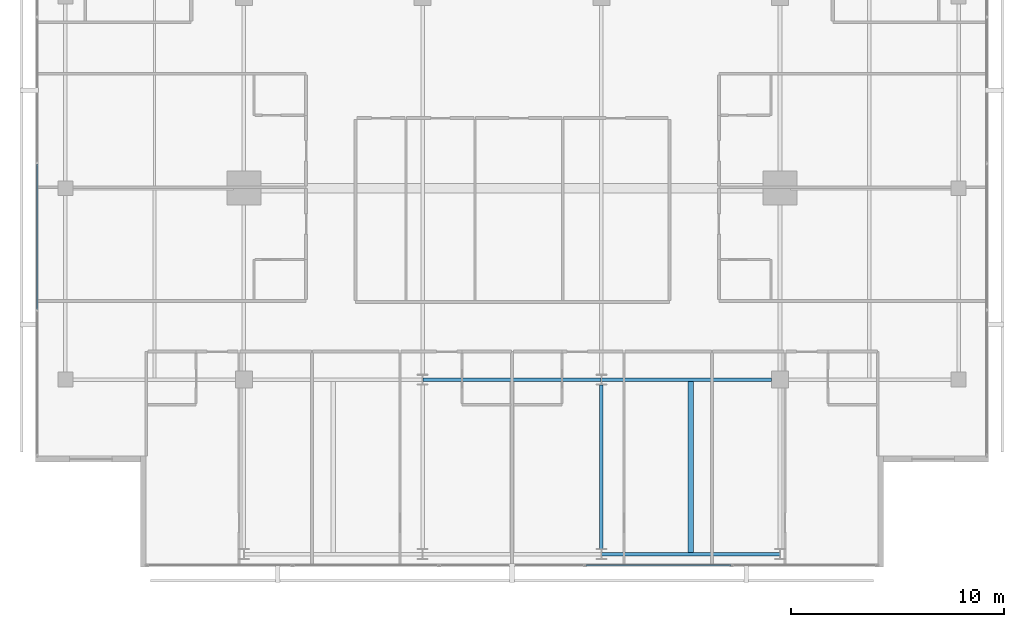
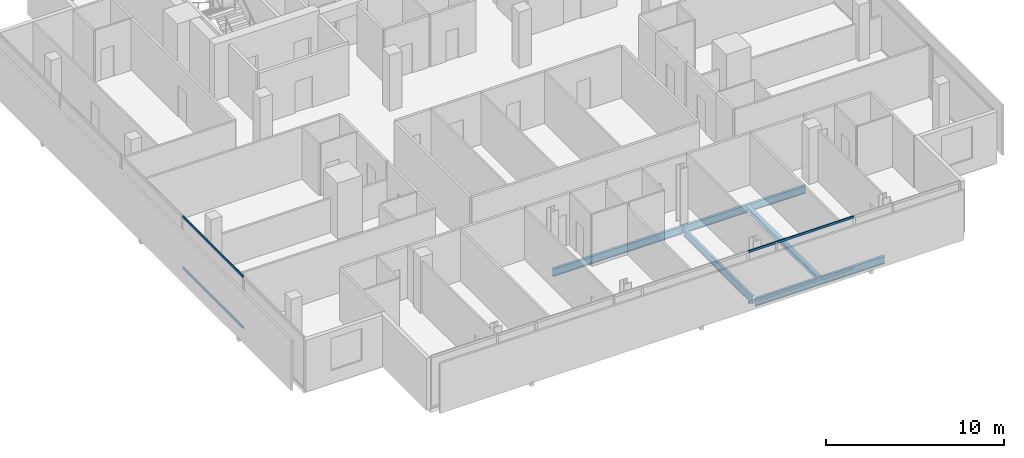
# One storey, part 7 of 26: 5 beams, 4 members, 2 elements without a shape of their own.
"""IFC4 building model written with IfcOpenShell, lengths in metres."""

from ifc_helpers import new_model, si_unit, direction, frame, origin, origin_2d, place, context, subcontext, project, spatial, hollow_rectangle, i_section, extrude, material, layer, layer_set, material_profile, profile_set, type_object, element, aggregate, save


model = new_model("IFC4")

# Units and contexts
model_context = context("Model", 3, precision=1e-05, world=origin(), true_north=direction((0.0, 1.0)))
body_context = subcontext(model_context, "Body", "Model", "MODEL_VIEW")
ifc_project = project(units=[si_unit("LENGTHUNIT", "METRE"), si_unit("AREAUNIT", "SQUARE_METRE"), si_unit("VOLUMEUNIT", "CUBIC_METRE"), si_unit("PLANEANGLEUNIT", "RADIAN"), si_unit("MASSUNIT", "GRAM", prefix="KILO")], contexts=[model_context])

# Site, building, storey
site_placement = place(None, origin())
site = spatial("IfcSite", under=ifc_project, at=site_placement, CompositionType="ELEMENT")
building_placement = place(site_placement, origin())
building = spatial("IfcBuilding", under=site, at=building_placement, Name="Maruvema Waterfront Hotel and Observation Tower", CompositionType="ELEMENT")
storey_placement = place(building_placement, frame((0.0, 0.0, 312.550048828125)))
storey = spatial("IfcBuildingStorey", under=building, at=storey_placement, Name="L77", CompositionType="ELEMENT", Elevation=312.550048828125)

# Curtain wall, members
ifc_material_1 = material(Name="Anodised bronze aluminium and solar-control low-E IGU", Category="aluminium")
ifc_layer = layer(ifc_material_1, 0.159912109375, Name="Zone 3 Champagne Inner Thermal Curtain Wall System CW-04")
ifc_layer_set = layer_set([ifc_layer], Name="Anodised bronze aluminium and solar-control low-E IGU")
curtain_wall_type = type_object("IfcCurtainWallType", Name="Zone 3 Champagne Inner Thermal Curtain Wall System CW-04", PredefinedType="USERDEFINED", material=ifc_layer_set)
curtain_wall_1_placement = place(storey_placement, origin())
curtain_wall_1 = element("IfcCurtainWall", 1, at=curtain_wall_1_placement, inside=storey, type_object=curtain_wall_type, Name="L77 Curtain Wall CW-L77-S", ObjectType="UNITISED CURTAIN WALL", PredefinedType="USERDEFINED")
ifc_material_2 = material(Name="Anodised architectural bronze aluminium", Category="aluminium")
ifc_material_profile_1 = material_profile(ifc_material_2, hollow_rectangle(XDim=0.070068359375, YDim=0.14990234375, WallThickness=0.00390625, at=origin_2d()), Name="ALU-T70x150")
ifc_profile_set_1 = profile_set([ifc_material_profile_1], Name="Anodised architectural bronze aluminium")
member_type = type_object("IfcMemberType", Name="Curtain Wall Horizontal Transom ALU-T70x150", PredefinedType="USERDEFINED", material=ifc_profile_set_1)
member_1_placement = place(storey_placement, frame((41.27001953125, 9.280029296875, 0.030029296875), z_axis=(1.0, 0.0, 0.0), x_axis=(0.0, 1.0, 0.0)))
member_1 = element("IfcMember", 2, at=member_1_placement, type_object=member_type, Name="CW-04 transom 4.1", ObjectType="TRANSOM", PredefinedType="USERDEFINED", context=body_context, shape_type="SweptSolid", body=[
    extrude(hollow_rectangle(XDim=0.070068359375, YDim=0.14990234375, WallThickness=0.00390625, at=origin_2d()), origin(), (0.0, 0.0, 1.0), 6.820068359375),
])
member_2_placement = place(storey_placement, frame((41.27001953125, 9.280029296875, 3.52001953125), z_axis=(1.0, 0.0, 0.0), x_axis=(0.0, 1.0, 0.0)))
member_2 = element("IfcMember", 3, at=member_2_placement, type_object=member_type, Name="CW-04 transom 4.2", ObjectType="TRANSOM", PredefinedType="USERDEFINED", context=body_context, shape_type="SweptSolid", body=[
    extrude(hollow_rectangle(XDim=0.070068359375, YDim=0.14990234375, WallThickness=0.00390625, at=origin_2d()), origin(), (0.0, 0.0, 1.0), 6.820068359375),
])
aggregate(curtain_wall_1, [member_1, member_2])

curtain_wall_2_placement = place(storey_placement, origin())
curtain_wall_2 = element("IfcCurtainWall", 4, at=curtain_wall_2_placement, inside=storey, type_object=curtain_wall_type, Name="L77 Curtain Wall CW-L77-W", ObjectType="UNITISED CURTAIN WALL", PredefinedType="USERDEFINED")
member_3_placement = place(storey_placement, frame((15.47998046875, 28.1298828125, 0.030029296875), z_axis=(0.0, -1.0, 0.0), x_axis=(1.0, 0.0, 0.0)))
member_3 = element("IfcMember", 5, at=member_3_placement, type_object=member_type, Name="CW-04 transom 4.1", ObjectType="TRANSOM", PredefinedType="USERDEFINED", context=body_context, shape_type="SweptSolid", body=[
    extrude(hollow_rectangle(XDim=0.070068359375, YDim=0.14990234375, WallThickness=0.00390625, at=origin_2d()), origin(), (0.0, 0.0, 1.0), 6.81982421875),
])
member_4_placement = place(storey_placement, frame((15.47998046875, 28.1298828125, 3.52001953125), z_axis=(0.0, -1.0, 0.0), x_axis=(1.0, 0.0, 0.0)))
member_4 = element("IfcMember", 6, at=member_4_placement, type_object=member_type, Name="CW-04 transom 4.2", ObjectType="TRANSOM", PredefinedType="USERDEFINED", context=body_context, shape_type="SweptSolid", body=[
    extrude(hollow_rectangle(XDim=0.070068359375, YDim=0.14990234375, WallThickness=0.00390625, at=origin_2d()), origin(), (0.0, 0.0, 1.0), 6.81982421875),
])
aggregate(curtain_wall_2, [member_3, member_4])

# Beams
ifc_material_3 = material(Name="Steel ASTM A572 Grade 50", Category="steel")
ifc_material_profile_2 = material_profile(ifc_material_3, i_section(OverallWidth=0.166015625, OverallDepth=0.529052734375, WebThickness=0.009765625, FlangeThickness=0.013671875, FilletRadius=0.014892578125, at=origin_2d()), Name="W530x74.0")
ifc_profile_set_2 = profile_set([ifc_material_profile_2], Name="Steel ASTM A572 Grade 50")
beam_type_1 = type_object("IfcBeamType", Name="Primary Floor Girder W530x74.0", PredefinedType="BEAM", material=ifc_profile_set_2)
for number, where, z_axis, x_axis, name in (
    (7, (42.010986328125, 9.800048828125, -0.504638671875), (1.0, 0.0, 0.0), (0.0, 1.0, 0.0), "L77 Floor Girder EW-03"),
    (8, (33.611083984375, 18.0, -0.504638671875), (1.0, 0.0, 0.0), (0.0, 1.0, 0.0), "L77 Floor Girder EW-06"),
):
    element("IfcBeam", number, at=place(storey_placement, frame(where, z_axis=z_axis, x_axis=x_axis)), inside=storey, type_object=beam_type_1, Name=name, PredefinedType="BEAM", context=body_context, shape_type="SweptSolid", body=[
        extrude(i_section(OverallWidth=0.166015625, OverallDepth=0.529052734375, WebThickness=0.009765625, FlangeThickness=0.013671875, FilletRadius=0.014892578125, at=origin_2d()), origin(), (0.0, 0.0, 1.0), 8.3779296875),
    ])
beam_1_placement = place(storey_placement, frame((42.010986328125, 18.0, -0.504638671875), z_axis=(1.0, 0.0, 0.0), x_axis=(0.0, 1.0, 0.0)))
element("IfcBeam", 9, at=beam_1_placement, inside=storey, type_object=beam_type_1, Name="L77 Floor Girder EW-07", PredefinedType="BEAM", context=body_context, shape_type="SweptSolid", body=[
    extrude(i_section(OverallWidth=0.166015625, OverallDepth=0.529052734375, WebThickness=0.009765625, FlangeThickness=0.013671875, FilletRadius=0.014892578125, at=origin_2d()), origin(), (0.0, 0.0, 1.0), 7.989013671875),
])
beam_2_placement = place(storey_placement, frame((42.0, 10.050048828125, -0.504638671875), z_axis=(0.0, 1.0, 0.0), x_axis=(-1.0, 0.0, 0.0)))
element("IfcBeam", 10, at=beam_2_placement, inside=storey, type_object=beam_type_1, Name="L77 Floor Girder NS-10", PredefinedType="BEAM", context=body_context, shape_type="SweptSolid", body=[
    extrude(i_section(OverallWidth=0.166015625, OverallDepth=0.529052734375, WebThickness=0.009765625, FlangeThickness=0.013671875, FilletRadius=0.014892578125, at=origin_2d()), origin(), (0.0, 0.0, 1.0), 7.699951171875),
])
ifc_material_4 = material(Name="Steel ASTM A572 Grade 50", Category="steel")
ifc_material_profile_3 = material_profile(ifc_material_4, i_section(OverallWidth=0.25390625, OverallDepth=0.305908203125, WebThickness=0.0087890625, FlangeThickness=0.0146484375, FilletRadius=0.014892578125, at=origin_2d()), Name="W310x79.0")
ifc_profile_set_3 = profile_set([ifc_material_profile_3], Name="Steel ASTM A572 Grade 50")
beam_type_2 = type_object("IfcBeamType", Name="Secondary Floor Joist W310x79.0", PredefinedType="JOIST", material=ifc_profile_set_3)
beam_3_placement = place(storey_placement, frame((46.199951171875, 9.883056640625, -0.39306640625), z_axis=(0.0, 1.0, 0.0), x_axis=(-1.0, 0.0, 0.0)))
element("IfcBeam", 11, at=beam_3_placement, inside=storey, type_object=beam_type_2, Name="L77 Secondary Floor Joist JS-06", PredefinedType="JOIST", context=body_context, shape_type="SweptSolid", body=[
    extrude(i_section(OverallWidth=0.25390625, OverallDepth=0.305908203125, WebThickness=0.0087890625, FlangeThickness=0.0146484375, FilletRadius=0.014892578125, at=origin_2d()), origin(), (0.0, 0.0, 1.0), 8.033935546875),
])

save(model, "model.ifc")
